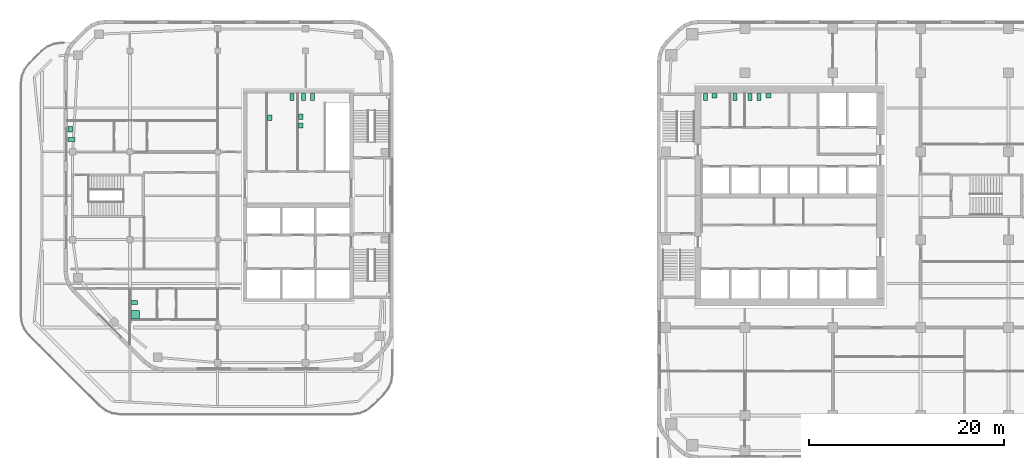
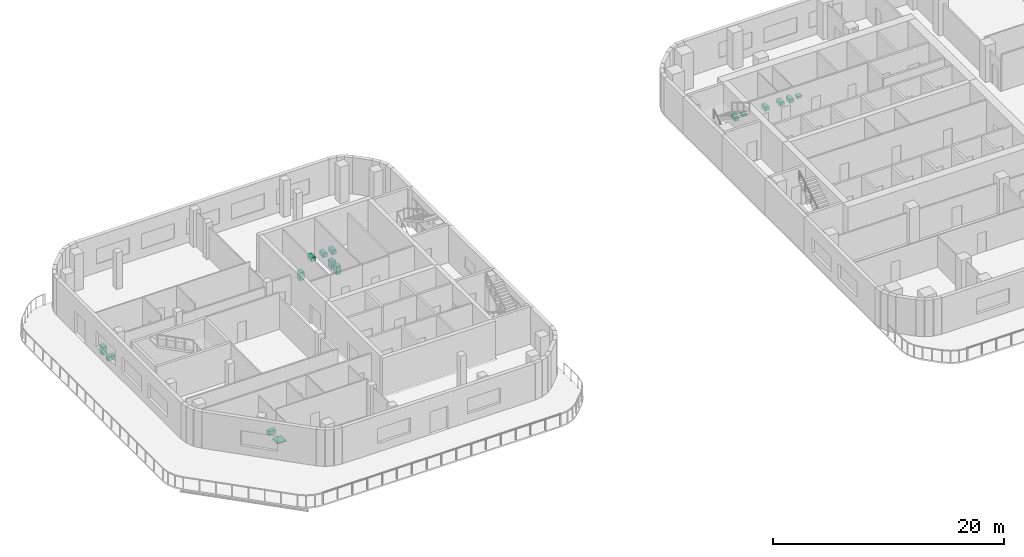
# One storey, part 15 of 15: 16 sanitary terminals.
"""IFC4 building model written with IfcOpenShell, lengths in metres."""

from ifc_helpers import new_model, si_unit, direction, frame, origin, origin_2d, place, context, subcontext, project, spatial, rectangle, extrude, material, type_object, element, save


model = new_model("IFC4")

# Units and contexts
model_context = context("Model", 3, precision=1e-05, world=origin(), true_north=direction((0.0, 1.0)))
body_context = subcontext(model_context, "Body", "Model", "MODEL_VIEW")
ifc_project = project(units=[si_unit("LENGTHUNIT", "METRE"), si_unit("AREAUNIT", "SQUARE_METRE"), si_unit("VOLUMEUNIT", "CUBIC_METRE"), si_unit("PLANEANGLEUNIT", "RADIAN"), si_unit("MASSUNIT", "GRAM", prefix="KILO")], contexts=[model_context])

# Site, building, storey
site_placement = place(None, origin())
site = spatial("IfcSite", under=ifc_project, at=site_placement, CompositionType="ELEMENT")
building_placement = place(site_placement, origin())
building = spatial("IfcBuilding", under=site, at=building_placement, Name="Cinnabar Reach Civic Tower", CompositionType="ELEMENT")
storey_placement = place(building_placement, frame((0.0, 0.0, 100.0)))
storey = spatial("IfcBuildingStorey", under=building, at=storey_placement, Name="L23", CompositionType="ELEMENT", Elevation=100.0)

# Sanitary terminals
ifc_material_1 = material(Name="Vitreous china")
sanitary_terminal_type_1 = type_object("IfcSanitaryTerminalType", Name="T1 WC pan", PredefinedType="TOILETPAN", material=ifc_material_1)
for number, where, z_axis, x_axis, name in (
    (1, (4.95, 41.6, 0.0), (0.0, 0.0, 1.0), (1.0, 0.0, 0.0), "T1 WC pan 2307-1"),
    (2, (8.0, 41.6, 0.0), (0.0, 0.0, 1.0), (1.0, 0.0, 0.0), "T1 WC pan 2308-1"),
    (3, (9.5, 41.6, 0.0), (0.0, 0.0, 1.0), (1.0, 0.0, 0.0), "T1 WC pan 2309-1"),
    (4, (10.45, 41.6, 0.0), (0.0, 0.0, 1.0), (1.0, 0.0, 0.0), "T1 WC pan 2309-2"),
):
    element("IfcSanitaryTerminal", number, at=place(storey_placement, frame(where, z_axis=z_axis, x_axis=x_axis)), inside=storey, type_object=sanitary_terminal_type_1, Name=name, PredefinedType="TOILETPAN", context=body_context, shape_type="SweptSolid", body=[
        extrude(rectangle(XDim=0.4, YDim=0.7, at=origin_2d()), origin(), (0.0, 0.0, 1.0), 0.4),
    ])
sanitary_terminal_type_2 = type_object("IfcSanitaryTerminalType", Name="T1 wash basin", PredefinedType="WASHHANDBASIN", material=ifc_material_1)
for number, where, z_axis, x_axis, name in (
    (5, (5.9, 41.74, 0.0), (0.0, 0.0, 1.0), (1.0, 0.0, 0.0), "T1 wash basin 2307-2"),
    (6, (11.4, 41.74, 0.0), (0.0, 0.0, 1.0), (1.0, 0.0, 0.0), "T1 wash basin 2309-3"),
):
    element("IfcSanitaryTerminal", number, at=place(storey_placement, frame(where, z_axis=z_axis, x_axis=x_axis)), inside=storey, type_object=sanitary_terminal_type_2, Name=name, PredefinedType="WASHHANDBASIN", context=body_context, shape_type="SweptSolid", body=[
        extrude(rectangle(XDim=0.5, YDim=0.42, at=origin_2d()), origin(), (0.0, 0.0, 1.0), 0.2),
    ])
ifc_material_2 = material(Name="Acrylic tray")
sanitary_terminal_type_3 = type_object("IfcSanitaryTerminalType", Name="T2 Shower tray", PredefinedType="SHOWER", material=ifc_material_2)
sanitary_terminal_placement = place(storey_placement, frame((-53.45, 19.3, 0.0), z_axis=(0.0, 0.0, 1.0), x_axis=(1.0, 0.0, 0.0)))
element("IfcSanitaryTerminal", 7, at=sanitary_terminal_placement, inside=storey, type_object=sanitary_terminal_type_3, Name="Shower tray", PredefinedType="SHOWER", context=body_context, shape_type="SweptSolid", body=[
    extrude(rectangle(XDim=0.9, YDim=0.9, at=origin_2d()), origin(), (0.0, 0.0, 1.0), 0.1),
])
sanitary_terminal_type_4 = type_object("IfcSanitaryTerminalType", Name="T2 WC pan", PredefinedType="TOILETPAN", material=ifc_material_1)
for number, where, z_axis, x_axis, name in (
    (8, (-37.4, 41.6, 0.0), (0.0, 0.0, 1.0), (1.0, 0.0, 0.0), "WC pan"),
    (9, (-36.2, 41.6, 0.0), (0.0, 0.0, 1.0), (1.0, 0.0, 0.0), "WC pan"),
    (10, (-35.3, 41.6, 0.0), (0.0, 0.0, 1.0), (1.0, 0.0, 0.0), "WC pan"),
):
    element("IfcSanitaryTerminal", number, at=place(storey_placement, frame(where, z_axis=z_axis, x_axis=x_axis)), inside=storey, type_object=sanitary_terminal_type_4, Name=name, PredefinedType="TOILETPAN", context=body_context, shape_type="SweptSolid", body=[
        extrude(rectangle(XDim=0.4, YDim=0.7, at=origin_2d()), origin(), (0.0, 0.0, 1.0), 0.42),
    ])
for number, where, z_axis, x_axis, name in (
    (11, (-53.55, 20.55, 0.0), (0.0, 0.0, 1.0), (1.0, 0.0, 0.0), "WC pan"),
    (12, (-59.99, 37.25, 0.0), (0.0, 0.0, 1.0), (1.0, 0.0, 0.0), "WC pan"),
):
    element("IfcSanitaryTerminal", number, at=place(storey_placement, frame(where, z_axis=z_axis, x_axis=x_axis)), inside=storey, type_object=sanitary_terminal_type_4, Name=name, PredefinedType="TOILETPAN", context=body_context, shape_type="SweptSolid", body=[
        extrude(rectangle(XDim=0.7, YDim=0.4, at=origin_2d()), origin(), (0.0, 0.0, 1.0), 0.42),
    ])
sanitary_terminal_type_5 = type_object("IfcSanitaryTerminalType", Name="T2 Wash basin", PredefinedType="WASHHANDBASIN", material=ifc_material_1)
for number, where, z_axis, x_axis, name in (
    (13, (-39.675, 39.5, 0.0), (0.0, 0.0, 1.0), (1.0, 0.0, 0.0), "Wash basin"),
    (14, (-36.475, 39.6, 0.0), (0.0, 0.0, 1.0), (1.0, 0.0, 0.0), "Wash basin"),
    (15, (-36.475, 38.7, 0.0), (0.0, 0.0, 1.0), (1.0, 0.0, 0.0), "Wash basin"),
    (16, (-60.115, 38.3, 0.0), (0.0, 0.0, 1.0), (1.0, 0.0, 0.0), "Wash basin"),
):
    element("IfcSanitaryTerminal", number, at=place(storey_placement, frame(where, z_axis=z_axis, x_axis=x_axis)), inside=storey, type_object=sanitary_terminal_type_5, Name=name, PredefinedType="WASHHANDBASIN", context=body_context, shape_type="SweptSolid", body=[
        extrude(rectangle(XDim=0.45, YDim=0.55, at=origin_2d()), origin(), (0.0, 0.0, 1.0), 0.85),
    ])

save(model, "model.ifc")
